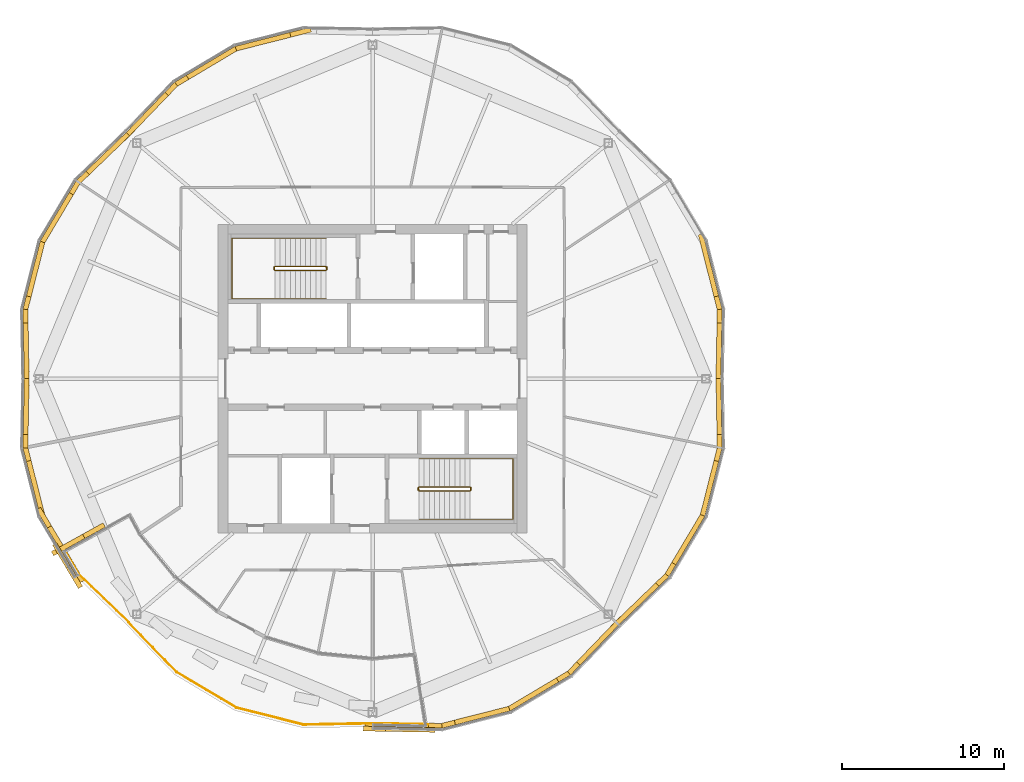
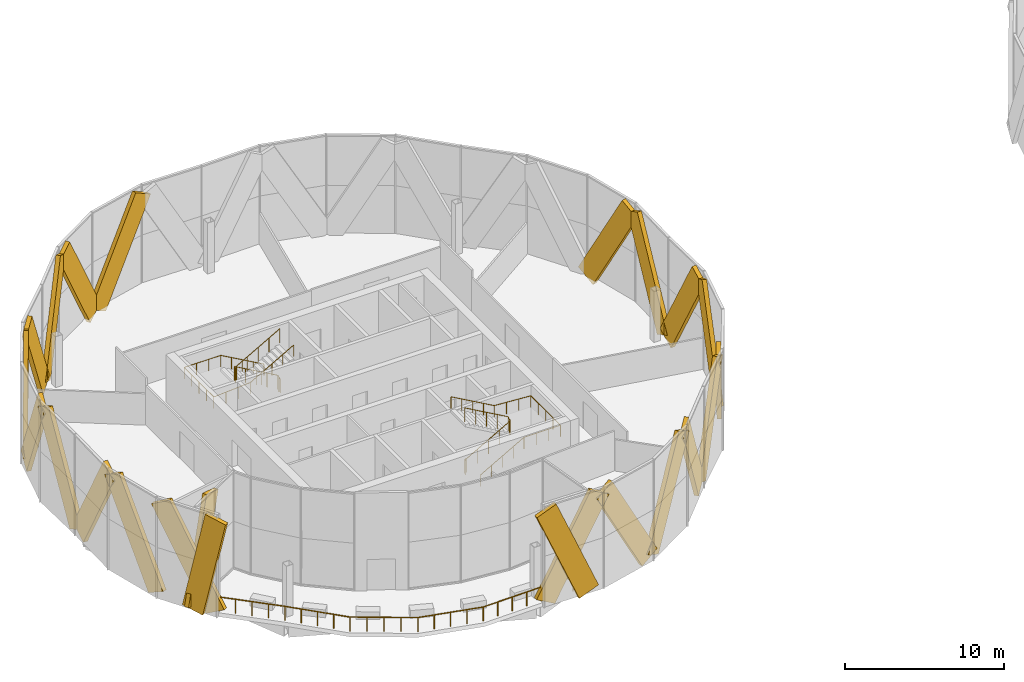
# One storey, part 24 of 27: 23 coverings, 5 railings.
"""IFC4 building model written with IfcOpenShell, lengths in metres."""

from ifc_helpers import new_model, si_unit, direction, frame, origin, origin_2d, place, context, subcontext, project, spatial, rectangle, circle, extrude, material, material_profile, profile_set, type_object, element, save


model = new_model("IFC4")

# Units and contexts
model_context = context("Model", 3, precision=1e-05, world=origin(), true_north=direction((0.0, 1.0)))
body_context = subcontext(model_context, "Body", "Model", "MODEL_VIEW")
ifc_project = project(units=[si_unit("LENGTHUNIT", "METRE"), si_unit("AREAUNIT", "SQUARE_METRE"), si_unit("VOLUMEUNIT", "CUBIC_METRE"), si_unit("PLANEANGLEUNIT", "RADIAN"), si_unit("MASSUNIT", "GRAM", prefix="KILO")], contexts=[model_context])

# Site, building, storey
site_placement = place(None, origin())
site = spatial("IfcSite", under=ifc_project, at=site_placement, CompositionType="ELEMENT")
building_placement = place(site_placement, origin())
building = spatial("IfcBuilding", under=site, at=building_placement, Name="Ogive Gate Towers", CompositionType="ELEMENT")
storey_placement = place(building_placement, frame((0.0, 0.0, 189.0)))
storey = spatial("IfcBuildingStorey", under=building, at=storey_placement, Name="L45", CompositionType="ELEMENT", Elevation=189.0)

# Coverings
ifc_material_1 = material(Name="Pale metal aluminium", Category="aluminium")
ifc_material_profile = material_profile(ifc_material_1, rectangle(XDim=0.300048828125, YDim=1.5, at=origin_2d()), Name="1500 x 300 pale metal aluminium")
ifc_profile_set = profile_set([ifc_material_profile], Name="Pale metal aluminium")
covering_type = type_object("IfcCoveringType", Name="Facade fin 1500 x 300", PredefinedType="CLADDING", material=ifc_profile_set)
covering_1_placement = place(storey_placement, frame((-15.643310546875, 8.24951171875, 0.01513671875), z_axis=(0.119744031485, -0.472038814291, 0.873407536449), x_axis=(0.969298751906, 0.245886009269, 0.0)))
element("IfcCovering", 1, at=covering_1_placement, inside=storey, type_object=covering_type, Name="Facade fin", PredefinedType="CLADDING", context=body_context, shape_type="SweptSolid", body=[
    extrude(rectangle(XDim=0.300048828125, YDim=1.5, at=origin_2d()), origin(), (0.0, 0.0, 1.0), 8.09423828125),
])
for number, where, z_axis, x_axis, name in (
    (2, (-14.706298828125, 0.202880859375, 0.011474609375), (0.008887300581, 0.481727966173, 0.876275745696), (-0.999829864407, 0.018445656384, 0.0), "Facade fin"),
    (3, (-50.913330078125, 15.200439453125, 0.011474609375), (0.334334893257, 0.346910238247, 0.876283895636), (-0.720036850503, 0.693935828386, 0.0), "Facade fin"),
):
    element("IfcCovering", number, at=place(storey_placement, frame(where, z_axis=z_axis, x_axis=x_axis)), inside=storey, type_object=covering_type, Name=name, PredefinedType="CLADDING", context=body_context, shape_type="SweptSolid", body=[
        extrude(rectangle(XDim=0.300048828125, YDim=1.5, at=origin_2d()), origin(), (0.0, 0.0, 1.0), 8.076416015625),
    ])
covering_2_placement = place(storey_placement, frame((-44.56103515625, 20.227783203125, 0.015380859375), z_axis=(-0.418453885313, -0.249117756707, 0.873405226204), x_axis=(0.511541570129, -0.859258530379, 0.0)))
element("IfcCovering", 4, at=covering_2_placement, inside=storey, type_object=covering_type, Name="Facade fin", PredefinedType="CLADDING", context=body_context, shape_type="SweptSolid", body=[
    extrude(rectangle(XDim=0.300048828125, YDim=1.5, at=origin_2d()), origin(), (0.0, 0.0, 1.0), 8.093994140625),
])
covering_3_placement = place(storey_placement, frame((-44.24951171875, 20.356689453125, 0.01513671875), z_axis=(0.472038814291, 0.119744031485, 0.873407536449), x_axis=(-0.245886009269, 0.969298751906, 0.0)))
element("IfcCovering", 5, at=covering_3_placement, inside=storey, type_object=covering_type, Name="Facade fin", PredefinedType="CLADDING", context=body_context, shape_type="SweptSolid", body=[
    extrude(rectangle(XDim=0.300048828125, YDim=1.5, at=origin_2d()), origin(), (0.0, 0.0, 1.0), 8.09423828125),
])
covering_4_placement = place(storey_placement, frame((-57.293701171875, 0.202880859375, 0.011474609375), z_axis=(-0.008887300581, 0.481727966173, 0.876275745696), x_axis=(-0.999829864407, -0.018445656384, 0.0)))
element("IfcCovering", 6, at=covering_4_placement, inside=storey, type_object=covering_type, Name="Facade fin", PredefinedType="CLADDING", context=body_context, shape_type="SweptSolid", body=[
    extrude(rectangle(XDim=0.300048828125, YDim=1.5, at=origin_2d()), origin(), (0.0, 0.0, 1.0), 8.076416015625),
])
covering_5_placement = place(storey_placement, frame((-56.356689453125, 8.24951171875, 0.01513671875), z_axis=(-0.119744031485, -0.472038814291, 0.873407536449), x_axis=(0.969298751906, -0.245886009269, 0.0)))
element("IfcCovering", 7, at=covering_5_placement, inside=storey, type_object=covering_type, Name="Facade fin", PredefinedType="CLADDING", context=body_context, shape_type="SweptSolid", body=[
    extrude(rectangle(XDim=0.300048828125, YDim=1.5, at=origin_2d()), origin(), (0.0, 0.0, 1.0), 8.09423828125),
])
covering_6_placement = place(storey_placement, frame((-56.227783203125, 8.56103515625, 0.015380859375), z_axis=(0.249117756707, 0.418453885313, 0.873405226204), x_axis=(-0.859258530379, 0.511541570129, 0.0)))
element("IfcCovering", 8, at=covering_6_placement, inside=storey, type_object=covering_type, Name="Facade fin", PredefinedType="CLADDING", context=body_context, shape_type="SweptSolid", body=[
    extrude(rectangle(XDim=0.300048828125, YDim=1.5, at=origin_2d()), origin(), (0.0, 0.0, 1.0), 8.093994140625),
])
covering_7_placement = place(storey_placement, frame((-51.200439453125, 14.913330078125, 0.011474609375), z_axis=(-0.346910238247, -0.334334893257, 0.876283895636), x_axis=(0.693935828386, -0.720036850503, 0.0)))
element("IfcCovering", 9, at=covering_7_placement, inside=storey, type_object=covering_type, Name="Facade fin", PredefinedType="CLADDING", context=body_context, shape_type="SweptSolid", body=[
    extrude(rectangle(XDim=0.300048828125, YDim=1.5, at=origin_2d()), origin(), (0.0, 0.0, 1.0), 8.076416015625),
])
covering_8_placement = place(storey_placement, frame((-56.356689453125, -8.24951171875, 0.01513671875), z_axis=(-0.119744031485, 0.472038814291, 0.873407536449), x_axis=(-0.969298751906, -0.245886009269, 0.0)))
element("IfcCovering", 10, at=covering_8_placement, inside=storey, type_object=covering_type, Name="Facade fin", PredefinedType="CLADDING", context=body_context, shape_type="SweptSolid", body=[
    extrude(rectangle(XDim=0.300048828125, YDim=1.5, at=origin_2d()), origin(), (0.0, 0.0, 1.0), 8.09423828125),
])
covering_9_placement = place(storey_placement, frame((-57.293701171875, -0.202880859375, 0.011474609375), z_axis=(-0.008887300581, -0.481727966173, 0.876275745696), x_axis=(0.999829864407, -0.018445656384, 0.0)))
element("IfcCovering", 11, at=covering_9_placement, inside=storey, type_object=covering_type, Name="Facade fin", PredefinedType="CLADDING", context=body_context, shape_type="SweptSolid", body=[
    extrude(rectangle(XDim=0.300048828125, YDim=1.5, at=origin_2d()), origin(), (0.0, 0.0, 1.0), 8.076416015625),
])
covering_10_placement = place(storey_placement, frame((-55.071533203125, -10.4228515625, -0.135498046875), z_axis=(0.250156562504, 0.138662017455, 0.958224680934), x_axis=(-0.48480419249, 0.874622715772, 0.0)))
element("IfcCovering", 12, at=covering_10_placement, inside=storey, type_object=covering_type, Name="Facade fin", PredefinedType="CLADDING", context=body_context, shape_type="SweptSolid", body=[
    extrude(rectangle(XDim=0.300048828125, YDim=1.5, at=origin_2d()), origin(), (0.0, 0.0, 1.0), 7.6923828125),
])
covering_11_placement = place(storey_placement, frame((-55.19580078125, -10.802978515625, -0.189208984375), z_axis=(0.109722560978, -0.184305842037, 0.976725302326), x_axis=(0.859258657552, 0.511541356512, 0.0)))
element("IfcCovering", 13, at=covering_11_placement, inside=storey, type_object=covering_type, Name="Facade fin", PredefinedType="CLADDING", context=body_context, shape_type="SweptSolid", body=[
    extrude(rectangle(XDim=0.300048828125, YDim=1.5, at=origin_2d()), origin(), (0.0, 0.0, 1.0), 7.656494140625),
])
covering_12_placement = place(storey_placement, frame((-54.2177734375, -11.9375, 0.014404296875), z_axis=(-0.248536705899, 0.417466827271, 0.874042878782), x_axis=(-0.859252583267, -0.51155155962, 0.0)))
element("IfcCovering", 14, at=covering_12_placement, inside=storey, type_object=covering_type, Name="Facade fin", PredefinedType="CLADDING", context=body_context, shape_type="SweptSolid", body=[
    extrude(rectangle(XDim=0.300048828125, YDim=1.5, at=origin_2d()), origin(), (0.0, 0.0, 1.0), 8.09033203125),
])
covering_13_placement = place(storey_placement, frame((-21.086669921875, -15.200439453125, 0.011474609375), z_axis=(-0.334334893257, -0.346910238247, 0.876283895636), x_axis=(0.720036850503, -0.693935828386, 0.0)))
element("IfcCovering", 15, at=covering_13_placement, inside=storey, type_object=covering_type, Name="Facade fin", PredefinedType="CLADDING", context=body_context, shape_type="SweptSolid", body=[
    extrude(rectangle(XDim=0.300048828125, YDim=1.5, at=origin_2d()), origin(), (0.0, 0.0, 1.0), 8.076416015625),
])
covering_14_placement = place(storey_placement, frame((-27.43896484375, -20.227783203125, 0.015380859375), z_axis=(0.418453885313, 0.249117756707, 0.873405226204), x_axis=(-0.511541570129, 0.859258530379, 0.0)))
element("IfcCovering", 16, at=covering_14_placement, inside=storey, type_object=covering_type, Name="Facade fin", PredefinedType="CLADDING", context=body_context, shape_type="SweptSolid", body=[
    extrude(rectangle(XDim=0.300048828125, YDim=1.5, at=origin_2d()), origin(), (0.0, 0.0, 1.0), 8.093994140625),
])
covering_15_placement = place(storey_placement, frame((-27.75048828125, -20.356689453125, 0.01513671875), z_axis=(-0.472038814291, -0.119744031485, 0.873407536449), x_axis=(0.245886009269, -0.969298751906, 0.0)))
element("IfcCovering", 17, at=covering_15_placement, inside=storey, type_object=covering_type, Name="Facade fin", PredefinedType="CLADDING", context=body_context, shape_type="SweptSolid", body=[
    extrude(rectangle(XDim=0.300048828125, YDim=1.5, at=origin_2d()), origin(), (0.0, 0.0, 1.0), 8.09423828125),
])
covering_16_placement = place(storey_placement, frame((-35.798828125, -21.293701171875, 0.011474609375), z_axis=(0.481903201297, -0.008886629943, 0.876179395094), x_axis=(0.018437560311, 0.999830013737, 0.0)))
element("IfcCovering", 18, at=covering_16_placement, inside=storey, type_object=covering_type, Name="Facade fin", PredefinedType="CLADDING", context=body_context, shape_type="SweptSolid", body=[
    extrude(rectangle(XDim=0.300048828125, YDim=1.5, at=origin_2d()), origin(), (0.0, 0.0, 1.0), 8.076904296875),
])
covering_17_placement = place(storey_placement, frame((-32.841552734375, -21.608154296875, -0.05908203125), z_axis=(-0.387956522894, 0.007138774105, 0.921650028074), x_axis=(-0.018397849792, -0.999830745238, 0.0)))
element("IfcCovering", 19, at=covering_17_placement, inside=storey, type_object=covering_type, Name="Facade fin", PredefinedType="CLADDING", context=body_context, shape_type="SweptSolid", body=[
    extrude(rectangle(XDim=0.300048828125, YDim=1.5, at=origin_2d()), origin(), (0.0, 0.0, 1.0), 7.83154296875),
])
covering_18_placement = place(storey_placement, frame((-14.706298828125, -0.202880859375, 0.011474609375), z_axis=(0.008887300581, -0.481727966173, 0.876275745696), x_axis=(0.999829864407, 0.018445656384, 0.0)))
element("IfcCovering", 20, at=covering_18_placement, inside=storey, type_object=covering_type, Name="Facade fin", PredefinedType="CLADDING", context=body_context, shape_type="SweptSolid", body=[
    extrude(rectangle(XDim=0.300048828125, YDim=1.5, at=origin_2d()), origin(), (0.0, 0.0, 1.0), 8.076416015625),
])
covering_19_placement = place(storey_placement, frame((-15.643310546875, -8.24951171875, 0.01513671875), z_axis=(0.119744031485, 0.472038814291, 0.873407536449), x_axis=(-0.969298751906, 0.245886009269, 0.0)))
element("IfcCovering", 21, at=covering_19_placement, inside=storey, type_object=covering_type, Name="Facade fin", PredefinedType="CLADDING", context=body_context, shape_type="SweptSolid", body=[
    extrude(rectangle(XDim=0.300048828125, YDim=1.5, at=origin_2d()), origin(), (0.0, 0.0, 1.0), 8.09423828125),
])
covering_20_placement = place(storey_placement, frame((-15.772216796875, -8.56103515625, 0.015380859375), z_axis=(-0.249117756707, -0.418453885313, 0.873405226204), x_axis=(0.859258530379, -0.511541570129, 0.0)))
element("IfcCovering", 22, at=covering_20_placement, inside=storey, type_object=covering_type, Name="Facade fin", PredefinedType="CLADDING", context=body_context, shape_type="SweptSolid", body=[
    extrude(rectangle(XDim=0.300048828125, YDim=1.5, at=origin_2d()), origin(), (0.0, 0.0, 1.0), 8.093994140625),
])
covering_21_placement = place(storey_placement, frame((-20.799560546875, -14.913330078125, 0.011474609375), z_axis=(0.346910238247, 0.334334893257, 0.876283895636), x_axis=(-0.693935828386, 0.720036850503, 0.0)))
element("IfcCovering", 23, at=covering_21_placement, inside=storey, type_object=covering_type, Name="Facade fin", PredefinedType="CLADDING", context=body_context, shape_type="SweptSolid", body=[
    extrude(rectangle(XDim=0.300048828125, YDim=1.5, at=origin_2d()), origin(), (0.0, 0.0, 1.0), 8.076416015625),
])

# Railings
ifc_material_2 = material(Name="Stainless steel", Category="steel")
railing_type_1 = type_object("IfcRailingType", Name="Guard 1100", PredefinedType="GUARDRAIL", material=ifc_material_2)
railing_1_placement = place(storey_placement, frame((-32.59375, -21.28271484375, 0.0)))
element("IfcRailing", 24, at=railing_1_placement, inside=storey, type_object=railing_type_1, Name="Sky garden guard", PredefinedType="GUARDRAIL", context=body_context, shape_type="SweptSolid", body=[
    extrude(circle(Radius=0.02392578125, at=origin_2d()), frame((0.0, 0.0, 1.076171875), z_axis=(-0.999830024272, 0.018436989039, 0.0), x_axis=(-0.018436989039, -0.999830024272, 0.0)), (0.0, 0.0, 1.0), 3.403076171875),
    extrude(circle(Radius=0.02392578125, at=origin_2d()), frame((-3.402587890625, 0.062744140625, 1.076171875), z_axis=(-0.999830575596, -0.018407066688, 0.0), x_axis=(0.018407066688, -0.999830575596, 0.0)), (0.0, 0.0, 1.0), 4.257568359375),
    extrude(circle(Radius=0.02392578125, at=origin_2d()), frame((-7.659423828125, -0.015625, 1.076171875), z_axis=(-0.969298359655, 0.245887555541, 0.0), x_axis=(-0.245887555541, -0.969298359655, 0.0)), (0.0, 0.0, 1.0), 4.265380859375),
    extrude(circle(Radius=0.02392578125, at=origin_2d()), frame((-11.7939453125, 1.033203125, 1.076171875), z_axis=(-0.859260537932, 0.511538197941, 0.0), x_axis=(-0.511538197941, -0.859260537932, 0.0)), (0.0, 0.0, 1.0), 4.265380859375),
    extrude(circle(Radius=0.02392578125, at=origin_2d()), frame((-15.458984375, 3.215087890625, 1.076171875), z_axis=(-0.693947391755, 0.720025706122, 0.0), x_axis=(-0.720025706122, -0.693947391755, 0.0)), (0.0, 0.0, 1.0), 4.250244140625),
    extrude(circle(Radius=0.02392578125, at=origin_2d()), frame((-18.408447265625, 6.275390625, 1.076171875), z_axis=(-0.720003913173, 0.693970002965, 0.0), x_axis=(-0.693970002965, -0.720003913173, 0.0)), (0.0, 0.0, 1.0), 4.257568359375),
    extrude(circle(Radius=0.02392578125, at=origin_2d()), frame((-21.473876953125, 9.22998046875, 1.076171875), z_axis=(-0.511563022154, 0.859245759003, 0.0), x_axis=(-0.859245759003, -0.511563022154, 0.0)), (0.0, 0.0, 1.0), 1.789306640625),
    extrude(circle(Radius=0.02099609375, at=origin_2d()), origin(), (0.0, 0.0, 1.0), 1.052001953125),
    extrude(circle(Radius=0.02099609375, at=origin_2d()), frame((-1.13427734375, 0.02099609375, 0.0)), (0.0, 0.0, 1.0), 1.052001953125),
    extrude(circle(Radius=0.02099609375, at=origin_2d()), frame((-2.268310546875, 0.041748046875, 0.0)), (0.0, 0.0, 1.0), 1.052001953125),
    extrude(circle(Radius=0.02099609375, at=origin_2d()), frame((-3.402587890625, 0.062744140625, 0.0)), (0.0, 0.0, 1.0), 1.052001953125),
    extrude(circle(Radius=0.02099609375, at=origin_2d()), frame((-4.466796875, 0.043212890625, 0.0)), (0.0, 0.0, 1.0), 1.052001953125),
    extrude(circle(Radius=0.02099609375, at=origin_2d()), frame((-5.531005859375, 0.0234375, 0.0)), (0.0, 0.0, 1.0), 1.052001953125),
    extrude(circle(Radius=0.02099609375, at=origin_2d()), frame((-6.59521484375, 0.00390625, 0.0)), (0.0, 0.0, 1.0), 1.052001953125),
    extrude(circle(Radius=0.02099609375, at=origin_2d()), frame((-7.659423828125, -0.015625, 0.0)), (0.0, 0.0, 1.0), 1.052001953125),
    extrude(circle(Radius=0.02099609375, at=origin_2d()), frame((-8.693115234375, 0.24658203125, 0.0)), (0.0, 0.0, 1.0), 1.052001953125),
    extrude(circle(Radius=0.02099609375, at=origin_2d()), frame((-9.7265625, 0.5087890625, 0.0)), (0.0, 0.0, 1.0), 1.052001953125),
    extrude(circle(Radius=0.02099609375, at=origin_2d()), frame((-10.76025390625, 0.77099609375, 0.0)), (0.0, 0.0, 1.0), 1.052001953125),
    extrude(circle(Radius=0.02099609375, at=origin_2d()), frame((-11.7939453125, 1.033203125, 0.0)), (0.0, 0.0, 1.0), 1.052001953125),
    extrude(circle(Radius=0.02099609375, at=origin_2d()), frame((-12.710205078125, 1.57861328125, 0.0)), (0.0, 0.0, 1.0), 1.052001953125),
    extrude(circle(Radius=0.02099609375, at=origin_2d()), frame((-13.62646484375, 2.1240234375, 0.0)), (0.0, 0.0, 1.0), 1.052001953125),
    extrude(circle(Radius=0.02099609375, at=origin_2d()), frame((-14.542724609375, 2.669677734375, 0.0)), (0.0, 0.0, 1.0), 1.052001953125),
    extrude(circle(Radius=0.02099609375, at=origin_2d()), frame((-15.458984375, 3.215087890625, 0.0)), (0.0, 0.0, 1.0), 1.052001953125),
    extrude(circle(Radius=0.02099609375, at=origin_2d()), frame((-16.1962890625, 3.980224609375, 0.0)), (0.0, 0.0, 1.0), 1.052001953125),
    extrude(circle(Radius=0.02099609375, at=origin_2d()), frame((-16.93359375, 4.7451171875, 0.0)), (0.0, 0.0, 1.0), 1.052001953125),
    extrude(circle(Radius=0.02099609375, at=origin_2d()), frame((-17.671142578125, 5.51025390625, 0.0)), (0.0, 0.0, 1.0), 1.052001953125),
    extrude(circle(Radius=0.02099609375, at=origin_2d()), frame((-18.408447265625, 6.275390625, 0.0)), (0.0, 0.0, 1.0), 1.052001953125),
    extrude(circle(Radius=0.02099609375, at=origin_2d()), frame((-19.1748046875, 7.01416015625, 0.0)), (0.0, 0.0, 1.0), 1.052001953125),
    extrude(circle(Radius=0.02099609375, at=origin_2d()), frame((-19.941162109375, 7.752685546875, 0.0)), (0.0, 0.0, 1.0), 1.052001953125),
    extrude(circle(Radius=0.02099609375, at=origin_2d()), frame((-20.70751953125, 8.4912109375, 0.0)), (0.0, 0.0, 1.0), 1.052001953125),
    extrude(circle(Radius=0.02099609375, at=origin_2d()), frame((-21.473876953125, 9.22998046875, 0.0)), (0.0, 0.0, 1.0), 1.052001953125),
    extrude(circle(Radius=0.02099609375, at=origin_2d()), frame((-21.931640625, 9.99853515625, 0.0)), (0.0, 0.0, 1.0), 1.052001953125),
    extrude(circle(Radius=0.02099609375, at=origin_2d()), frame((-22.38916015625, 10.767333984375, 0.0)), (0.0, 0.0, 1.0), 1.052001953125),
])
railing_type_2 = type_object("IfcRailingType", Name="Stair guard 1100", PredefinedType="GUARDRAIL", material=ifc_material_2)
railing_2_placement = place(storey_placement, frame((-38.81494140625, 6.860107421875, 0.0)))
element("IfcRailing", 25, at=railing_2_placement, inside=storey, type_object=railing_type_2, Name="L45 ST1 stair guard 1", PredefinedType="GUARDRAIL", context=body_context, shape_type="SweptSolid", body=[
    extrude(circle(Radius=0.02392578125, at=origin_2d()), frame((0.0, 0.0, 1.076171875), z_axis=(0.0, -1.0, 0.0), x_axis=(1.0, 0.0, 0.0)), (0.0, 0.0, 1.0), 0.14501953125),
    extrude(circle(Radius=0.02392578125, at=origin_2d()), frame((0.0, -0.14501953125, 1.076171875), z_axis=(-0.186679794065, 0.726685247142, 0.661119660934), x_axis=(-0.968551454522, -0.24881334358, 0.0)), (0.0, 0.0, 1.0), 0.26806640625),
    extrude(circle(Radius=0.02392578125, at=origin_2d()), frame((-0.050048828125, 0.0498046875, 1.25341796875), z_axis=(-0.870572935281, 0.0, 0.492039393094), x_axis=(0.0, -1.0, 0.0)), (0.0, 0.0, 1.0), 3.602783203125),
    extrude(circle(Radius=0.02392578125, at=origin_2d()), frame((-3.1865234375, 0.0498046875, 3.02587890625), z_axis=(-0.707106781187, -0.707106781187, 0.0), x_axis=(0.707106781187, -0.707106781187, 0.0)), (0.0, 0.0, 1.0), 0.0703125),
    extrude(circle(Radius=0.02392578125, at=origin_2d()), frame((-3.236328125, 0.0, 3.02587890625), z_axis=(0.0, -1.0, 0.0), x_axis=(1.0, 0.0, 0.0)), (0.0, 0.0, 1.0), 0.14501953125),
    extrude(circle(Radius=0.02392578125, at=origin_2d()), frame((-3.236328125, -0.14501953125, 3.02587890625), z_axis=(0.261041864531, -0.262321481514, 0.929001929653), x_axis=(0.708833529934, 0.705375805398, 0.0)), (0.0, 0.0, 1.0), 0.190673828125),
    extrude(circle(Radius=0.02392578125, at=origin_2d()), frame((-3.1865234375, -0.195068359375, 3.203125), z_axis=(0.870572935281, 0.0, 0.492039393094), x_axis=(0.0, 1.0, 0.0)), (0.0, 0.0, 1.0), 3.602783203125),
    extrude(circle(Radius=0.02099609375, at=origin_2d()), origin(), (0.0, 0.0, 1.0), 1.052001953125),
    extrude(circle(Radius=0.02099609375, at=origin_2d()), frame((0.0, -0.14501953125, 0.0)), (0.0, 0.0, 1.0), 1.052001953125),
    extrude(circle(Radius=0.02099609375, at=origin_2d()), frame((-0.050048828125, 0.0498046875, 0.17724609375)), (0.0, 0.0, 1.0), 1.052001953125),
    extrude(circle(Radius=0.02099609375, at=origin_2d()), frame((-0.834228515625, 0.0498046875, 0.620361328125)), (0.0, 0.0, 1.0), 1.052001953125),
    extrude(circle(Radius=0.02099609375, at=origin_2d()), frame((-1.6181640625, 0.0498046875, 1.0634765625)), (0.0, 0.0, 1.0), 1.052001953125),
    extrude(circle(Radius=0.02099609375, at=origin_2d()), frame((-2.40234375, 0.0498046875, 1.5068359375)), (0.0, 0.0, 1.0), 1.052001953125),
    extrude(circle(Radius=0.02099609375, at=origin_2d()), frame((-3.1865234375, 0.0498046875, 1.949951171875)), (0.0, 0.0, 1.0), 1.052001953125),
    extrude(circle(Radius=0.02099609375, at=origin_2d()), frame((-3.236328125, 0.0, 1.949951171875)), (0.0, 0.0, 1.0), 1.052001953125),
    extrude(circle(Radius=0.02099609375, at=origin_2d()), frame((-3.236328125, -0.14501953125, 1.949951171875)), (0.0, 0.0, 1.0), 1.052001953125),
    extrude(circle(Radius=0.02099609375, at=origin_2d()), frame((-3.1865234375, -0.195068359375, 2.127197265625)), (0.0, 0.0, 1.0), 1.052001953125),
    extrude(circle(Radius=0.02099609375, at=origin_2d()), frame((-2.40234375, -0.195068359375, 2.5703125)), (0.0, 0.0, 1.0), 1.052001953125),
    extrude(circle(Radius=0.02099609375, at=origin_2d()), frame((-1.6181640625, -0.195068359375, 3.013671875)), (0.0, 0.0, 1.0), 1.052001953125),
    extrude(circle(Radius=0.02099609375, at=origin_2d()), frame((-0.834228515625, -0.195068359375, 3.456787109375)), (0.0, 0.0, 1.0), 1.052001953125),
    extrude(circle(Radius=0.02099609375, at=origin_2d()), frame((-0.050048828125, -0.195068359375, 3.89990234375)), (0.0, 0.0, 1.0), 1.052001953125),
])
railing_3_placement = place(storey_placement, frame((-33.18505859375, -6.860107421875, 0.0)))
element("IfcRailing", 26, at=railing_3_placement, inside=storey, type_object=railing_type_2, Name="L45 ST2 stair guard 1", PredefinedType="GUARDRAIL", context=body_context, shape_type="SweptSolid", body=[
    extrude(circle(Radius=0.02392578125, at=origin_2d()), frame((0.0, 0.0, 1.076171875), z_axis=(0.0, 1.0, 0.0), x_axis=(-1.0, 0.0, 0.0)), (0.0, 0.0, 1.0), 0.14501953125),
    extrude(circle(Radius=0.02392578125, at=origin_2d()), frame((0.0, 0.14501953125, 1.076171875), z_axis=(0.186679794065, -0.726685247142, 0.661119660934), x_axis=(0.968551454522, 0.24881334358, 0.0)), (0.0, 0.0, 1.0), 0.26806640625),
    extrude(circle(Radius=0.02392578125, at=origin_2d()), frame((0.050048828125, -0.0498046875, 1.25341796875), z_axis=(0.870572935281, 0.0, 0.492039393094), x_axis=(0.0, 1.0, 0.0)), (0.0, 0.0, 1.0), 3.602783203125),
    extrude(circle(Radius=0.02392578125, at=origin_2d()), frame((3.1865234375, -0.0498046875, 3.02587890625), z_axis=(0.707106781187, 0.707106781187, 0.0), x_axis=(-0.707106781187, 0.707106781187, 0.0)), (0.0, 0.0, 1.0), 0.0703125),
    extrude(circle(Radius=0.02392578125, at=origin_2d()), frame((3.236328125, 0.0, 3.02587890625), z_axis=(0.0, 1.0, 0.0), x_axis=(-1.0, 0.0, 0.0)), (0.0, 0.0, 1.0), 0.14501953125),
    extrude(circle(Radius=0.02392578125, at=origin_2d()), frame((3.236328125, 0.14501953125, 3.02587890625), z_axis=(-0.261041864531, 0.262321481514, 0.929001929653), x_axis=(-0.708833529934, -0.705375805398, 0.0)), (0.0, 0.0, 1.0), 0.190673828125),
    extrude(circle(Radius=0.02392578125, at=origin_2d()), frame((3.1865234375, 0.195068359375, 3.203125), z_axis=(-0.870572935281, 0.0, 0.492039393094), x_axis=(0.0, -1.0, 0.0)), (0.0, 0.0, 1.0), 3.602783203125),
    extrude(circle(Radius=0.02099609375, at=origin_2d()), origin(), (0.0, 0.0, 1.0), 1.052001953125),
    extrude(circle(Radius=0.02099609375, at=origin_2d()), frame((0.0, 0.14501953125, 0.0)), (0.0, 0.0, 1.0), 1.052001953125),
    extrude(circle(Radius=0.02099609375, at=origin_2d()), frame((0.050048828125, -0.0498046875, 0.17724609375)), (0.0, 0.0, 1.0), 1.052001953125),
    extrude(circle(Radius=0.02099609375, at=origin_2d()), frame((0.834228515625, -0.0498046875, 0.620361328125)), (0.0, 0.0, 1.0), 1.052001953125),
    extrude(circle(Radius=0.02099609375, at=origin_2d()), frame((1.6181640625, -0.0498046875, 1.0634765625)), (0.0, 0.0, 1.0), 1.052001953125),
    extrude(circle(Radius=0.02099609375, at=origin_2d()), frame((2.40234375, -0.0498046875, 1.5068359375)), (0.0, 0.0, 1.0), 1.052001953125),
    extrude(circle(Radius=0.02099609375, at=origin_2d()), frame((3.1865234375, -0.0498046875, 1.949951171875)), (0.0, 0.0, 1.0), 1.052001953125),
    extrude(circle(Radius=0.02099609375, at=origin_2d()), frame((3.236328125, 0.0, 1.949951171875)), (0.0, 0.0, 1.0), 1.052001953125),
    extrude(circle(Radius=0.02099609375, at=origin_2d()), frame((3.236328125, 0.14501953125, 1.949951171875)), (0.0, 0.0, 1.0), 1.052001953125),
    extrude(circle(Radius=0.02099609375, at=origin_2d()), frame((3.1865234375, 0.195068359375, 2.127197265625)), (0.0, 0.0, 1.0), 1.052001953125),
    extrude(circle(Radius=0.02099609375, at=origin_2d()), frame((2.40234375, 0.195068359375, 2.5703125)), (0.0, 0.0, 1.0), 1.052001953125),
    extrude(circle(Radius=0.02099609375, at=origin_2d()), frame((1.6181640625, 0.195068359375, 3.013671875)), (0.0, 0.0, 1.0), 1.052001953125),
    extrude(circle(Radius=0.02099609375, at=origin_2d()), frame((0.834228515625, 0.195068359375, 3.456787109375)), (0.0, 0.0, 1.0), 1.052001953125),
    extrude(circle(Radius=0.02099609375, at=origin_2d()), frame((0.050048828125, 0.195068359375, 3.89990234375)), (0.0, 0.0, 1.0), 1.052001953125),
])
railing_type_3 = type_object("IfcRailingType", Name="Stair handrail 900", PredefinedType="HANDRAIL", material=ifc_material_2)
railing_4_placement = place(storey_placement, frame((-38.864990234375, 8.64990234375, 0.17724609375)))
element("IfcRailing", 27, at=railing_4_placement, inside=storey, type_object=railing_type_3, Name="L45 ST1 stair handrail 1", PredefinedType="HANDRAIL", context=body_context, shape_type="SweptSolid", body=[
    extrude(circle(Radius=0.02392578125, at=origin_2d()), frame((0.0, 0.0, 0.8759765625), z_axis=(-0.870572935281, 0.0, 0.492039393094), x_axis=(0.0, -1.0, 0.0)), (0.0, 0.0, 1.0), 3.602783203125),
    extrude(circle(Radius=0.02392578125, at=origin_2d()), frame((-3.136474609375, 0.0, 2.6484375), z_axis=(-1.0, 0.0, 0.0), x_axis=(0.0, -1.0, 0.0)), (0.0, 0.0, 1.0), 2.6484375),
    extrude(circle(Radius=0.02392578125, at=origin_2d()), frame((-5.784912109375, 0.0, 2.6484375), z_axis=(0.0, -1.0, 0.0), x_axis=(1.0, 0.0, 0.0)), (0.0, 0.0, 1.0), 3.724853515625),
    extrude(circle(Radius=0.02392578125, at=origin_2d()), frame((-5.784912109375, -3.724853515625, 2.6484375), z_axis=(0.997768031817, 0.0, 0.066775404784), x_axis=(0.0, 1.0, 0.0)), (0.0, 0.0, 1.0), 2.654296875),
    extrude(circle(Radius=0.02392578125, at=origin_2d()), frame((-3.136474609375, -3.724853515625, 2.82568359375), z_axis=(0.870572935281, 0.0, 0.492039393094), x_axis=(0.0, 1.0, 0.0)), (0.0, 0.0, 1.0), 3.602783203125),
    extrude(circle(Radius=0.02099609375, at=origin_2d()), origin(), (0.0, 0.0, 1.0), 0.851806640625),
    extrude(circle(Radius=0.02099609375, at=origin_2d()), frame((-0.7841796875, 0.0, 0.443115234375)), (0.0, 0.0, 1.0), 0.851806640625),
    extrude(circle(Radius=0.02099609375, at=origin_2d()), frame((-1.568359375, 0.0, 0.88623046875)), (0.0, 0.0, 1.0), 0.851806640625),
    extrude(circle(Radius=0.02099609375, at=origin_2d()), frame((-2.352294921875, 0.0, 1.32958984375)), (0.0, 0.0, 1.0), 0.851806640625),
    extrude(circle(Radius=0.02099609375, at=origin_2d()), frame((-3.136474609375, 0.0, 1.772705078125)), (0.0, 0.0, 1.0), 0.851806640625),
    extrude(circle(Radius=0.02099609375, at=origin_2d()), frame((-4.019287109375, 0.0, 1.772705078125)), (0.0, 0.0, 1.0), 0.851806640625),
    extrude(circle(Radius=0.02099609375, at=origin_2d()), frame((-4.902099609375, 0.0, 1.772705078125)), (0.0, 0.0, 1.0), 0.851806640625),
    extrude(circle(Radius=0.02099609375, at=origin_2d()), frame((-5.784912109375, 0.0, 1.772705078125)), (0.0, 0.0, 1.0), 0.851806640625),
    extrude(circle(Radius=0.02099609375, at=origin_2d()), frame((-5.784912109375, -0.93115234375, 1.772705078125)), (0.0, 0.0, 1.0), 0.851806640625),
    extrude(circle(Radius=0.02099609375, at=origin_2d()), frame((-5.784912109375, -1.8623046875, 1.772705078125)), (0.0, 0.0, 1.0), 0.851806640625),
    extrude(circle(Radius=0.02099609375, at=origin_2d()), frame((-5.784912109375, -2.793701171875, 1.772705078125)), (0.0, 0.0, 1.0), 0.851806640625),
    extrude(circle(Radius=0.02099609375, at=origin_2d()), frame((-5.784912109375, -3.724853515625, 1.772705078125)), (0.0, 0.0, 1.0), 0.851806640625),
    extrude(circle(Radius=0.02099609375, at=origin_2d()), frame((-4.902099609375, -3.724853515625, 1.831787109375)), (0.0, 0.0, 1.0), 0.851806640625),
    extrude(circle(Radius=0.02099609375, at=origin_2d()), frame((-4.019287109375, -3.724853515625, 1.890869140625)), (0.0, 0.0, 1.0), 0.851806640625),
    extrude(circle(Radius=0.02099609375, at=origin_2d()), frame((-3.136474609375, -3.724853515625, 1.949951171875)), (0.0, 0.0, 1.0), 0.851806640625),
    extrude(circle(Radius=0.02099609375, at=origin_2d()), frame((-2.352294921875, -3.724853515625, 2.39306640625)), (0.0, 0.0, 1.0), 0.851806640625),
    extrude(circle(Radius=0.02099609375, at=origin_2d()), frame((-1.568359375, -3.724853515625, 2.83642578125)), (0.0, 0.0, 1.0), 0.851806640625),
    extrude(circle(Radius=0.02099609375, at=origin_2d()), frame((-0.7841796875, -3.724853515625, 3.279541015625)), (0.0, 0.0, 1.0), 0.851806640625),
    extrude(circle(Radius=0.02099609375, at=origin_2d()), frame((0.0, -3.724853515625, 3.72265625)), (0.0, 0.0, 1.0), 0.851806640625),
])
railing_5_placement = place(storey_placement, frame((-33.135009765625, -8.64990234375, 0.17724609375)))
element("IfcRailing", 28, at=railing_5_placement, inside=storey, type_object=railing_type_3, Name="L45 ST2 stair handrail 1", PredefinedType="HANDRAIL", context=body_context, shape_type="SweptSolid", body=[
    extrude(circle(Radius=0.02392578125, at=origin_2d()), frame((0.0, 0.0, 0.8759765625), z_axis=(0.870572935281, 0.0, 0.492039393094), x_axis=(0.0, 1.0, 0.0)), (0.0, 0.0, 1.0), 3.602783203125),
    extrude(circle(Radius=0.02392578125, at=origin_2d()), frame((3.136474609375, 0.0, 2.6484375), z_axis=(1.0, 0.0, 0.0), x_axis=(0.0, 1.0, 0.0)), (0.0, 0.0, 1.0), 2.6484375),
    extrude(circle(Radius=0.02392578125, at=origin_2d()), frame((5.784912109375, 0.0, 2.6484375), z_axis=(0.0, 1.0, 0.0), x_axis=(-1.0, 0.0, 0.0)), (0.0, 0.0, 1.0), 3.724853515625),
    extrude(circle(Radius=0.02392578125, at=origin_2d()), frame((5.784912109375, 3.724853515625, 2.6484375), z_axis=(-0.997768031817, 0.0, 0.066775404784), x_axis=(0.0, -1.0, 0.0)), (0.0, 0.0, 1.0), 2.654296875),
    extrude(circle(Radius=0.02392578125, at=origin_2d()), frame((3.136474609375, 3.724853515625, 2.82568359375), z_axis=(-0.870572935281, 0.0, 0.492039393094), x_axis=(0.0, -1.0, 0.0)), (0.0, 0.0, 1.0), 3.602783203125),
    extrude(circle(Radius=0.02099609375, at=origin_2d()), origin(), (0.0, 0.0, 1.0), 0.851806640625),
    extrude(circle(Radius=0.02099609375, at=origin_2d()), frame((0.7841796875, 0.0, 0.443115234375)), (0.0, 0.0, 1.0), 0.851806640625),
    extrude(circle(Radius=0.02099609375, at=origin_2d()), frame((1.568359375, 0.0, 0.88623046875)), (0.0, 0.0, 1.0), 0.851806640625),
    extrude(circle(Radius=0.02099609375, at=origin_2d()), frame((2.352294921875, 0.0, 1.32958984375)), (0.0, 0.0, 1.0), 0.851806640625),
    extrude(circle(Radius=0.02099609375, at=origin_2d()), frame((3.136474609375, 0.0, 1.772705078125)), (0.0, 0.0, 1.0), 0.851806640625),
    extrude(circle(Radius=0.02099609375, at=origin_2d()), frame((4.019287109375, 0.0, 1.772705078125)), (0.0, 0.0, 1.0), 0.851806640625),
    extrude(circle(Radius=0.02099609375, at=origin_2d()), frame((4.902099609375, 0.0, 1.772705078125)), (0.0, 0.0, 1.0), 0.851806640625),
    extrude(circle(Radius=0.02099609375, at=origin_2d()), frame((5.784912109375, 0.0, 1.772705078125)), (0.0, 0.0, 1.0), 0.851806640625),
    extrude(circle(Radius=0.02099609375, at=origin_2d()), frame((5.784912109375, 0.93115234375, 1.772705078125)), (0.0, 0.0, 1.0), 0.851806640625),
    extrude(circle(Radius=0.02099609375, at=origin_2d()), frame((5.784912109375, 1.8623046875, 1.772705078125)), (0.0, 0.0, 1.0), 0.851806640625),
    extrude(circle(Radius=0.02099609375, at=origin_2d()), frame((5.784912109375, 2.793701171875, 1.772705078125)), (0.0, 0.0, 1.0), 0.851806640625),
    extrude(circle(Radius=0.02099609375, at=origin_2d()), frame((5.784912109375, 3.724853515625, 1.772705078125)), (0.0, 0.0, 1.0), 0.851806640625),
    extrude(circle(Radius=0.02099609375, at=origin_2d()), frame((4.902099609375, 3.724853515625, 1.831787109375)), (0.0, 0.0, 1.0), 0.851806640625),
    extrude(circle(Radius=0.02099609375, at=origin_2d()), frame((4.019287109375, 3.724853515625, 1.890869140625)), (0.0, 0.0, 1.0), 0.851806640625),
    extrude(circle(Radius=0.02099609375, at=origin_2d()), frame((3.136474609375, 3.724853515625, 1.949951171875)), (0.0, 0.0, 1.0), 0.851806640625),
    extrude(circle(Radius=0.02099609375, at=origin_2d()), frame((2.352294921875, 3.724853515625, 2.39306640625)), (0.0, 0.0, 1.0), 0.851806640625),
    extrude(circle(Radius=0.02099609375, at=origin_2d()), frame((1.568359375, 3.724853515625, 2.83642578125)), (0.0, 0.0, 1.0), 0.851806640625),
    extrude(circle(Radius=0.02099609375, at=origin_2d()), frame((0.7841796875, 3.724853515625, 3.279541015625)), (0.0, 0.0, 1.0), 0.851806640625),
    extrude(circle(Radius=0.02099609375, at=origin_2d()), frame((0.0, 3.724853515625, 3.72265625)), (0.0, 0.0, 1.0), 0.851806640625),
])

save(model, "model.ifc")
